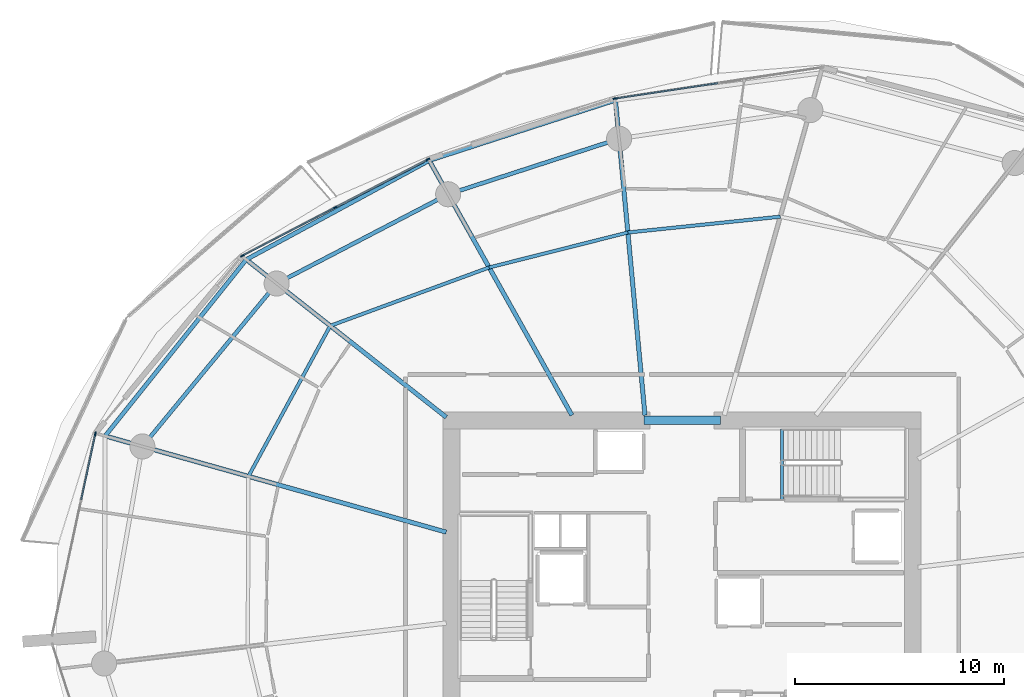
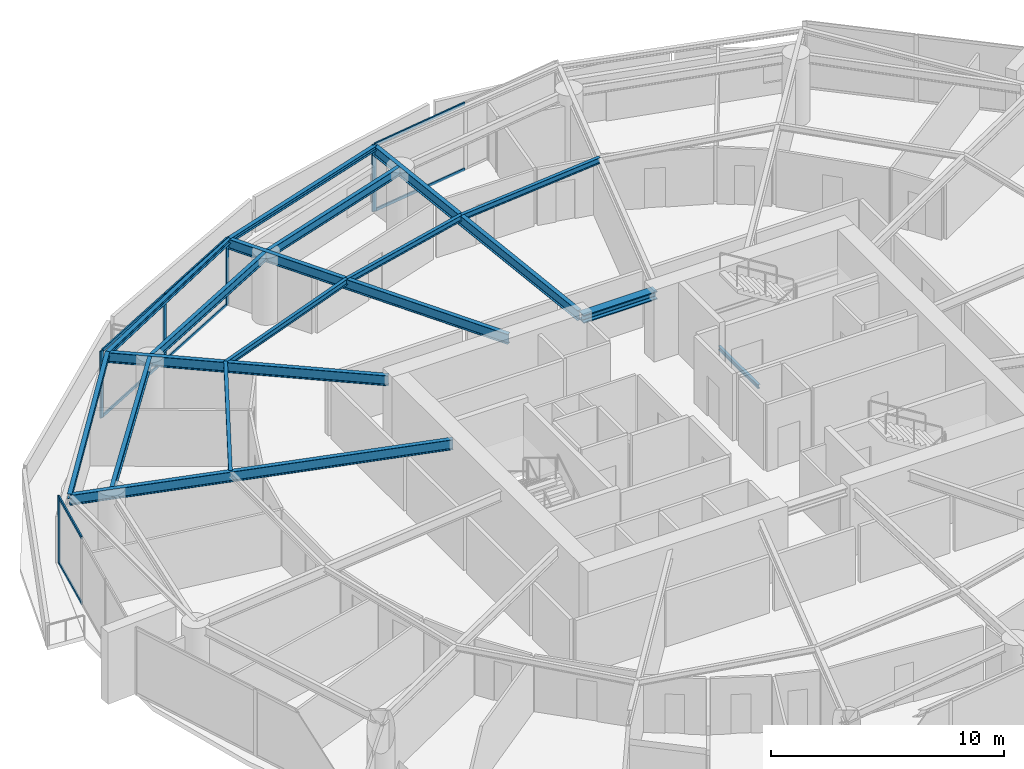
# One storey, part 8 of 22: 16 beams, 13 members, 3 elements without a shape of their own.
"""IFC4 building model written with IfcOpenShell, lengths in metres."""

from ifc_helpers import new_model, si_unit, direction, frame, origin, origin_2d, place, context, subcontext, project, spatial, rectangle, i_section, extrude, material, layer, layer_set, material_profile, profile_set, type_object, element, aggregate, save


model = new_model("IFC4")

# Units and contexts
model_context = context("Model", 3, precision=1e-05, world=origin(), true_north=direction((0.0, 1.0)))
body_context = subcontext(model_context, "Body", "Model", "MODEL_VIEW")
ifc_project = project(units=[si_unit("LENGTHUNIT", "METRE"), si_unit("AREAUNIT", "SQUARE_METRE"), si_unit("VOLUMEUNIT", "CUBIC_METRE"), si_unit("PLANEANGLEUNIT", "RADIAN"), si_unit("MASSUNIT", "GRAM", prefix="KILO")], contexts=[model_context])

# Site, building, storey
site_placement = place(None, origin())
site = spatial("IfcSite", under=ifc_project, at=site_placement, CompositionType="ELEMENT")
building_placement = place(site_placement, origin())
building = spatial("IfcBuilding", under=site, at=building_placement, Name="Kazma Halo Residences", CompositionType="ELEMENT")
storey_placement = place(building_placement, frame((0.0, 0.0, 90.14990234375)))
storey = spatial("IfcBuildingStorey", under=building, at=storey_placement, Name="L22", CompositionType="ELEMENT", Elevation=90.14990234375)

# Beams
ifc_material_1 = material(Name="Steel S355", Category="steel")
ifc_material_profile_1 = material_profile(ifc_material_1, i_section(OverallWidth=0.201904296875, OverallDepth=0.2470703125, WebThickness=0.00732421875, FlangeThickness=0.010986328125, FilletRadius=0.011962890625, at=origin_2d()), Name="W250x49.1")
ifc_profile_set_1 = profile_set([ifc_material_profile_1], Name="Steel S355")
beam_type_1 = type_object("IfcBeamType", Name="BM-BAL-CANT", PredefinedType="BEAM", material=ifc_profile_set_1)
beam_1_placement = place(storey_placement, frame((45.239013671875, 65.7109375, 3.376708984375), z_axis=(-0.951364037255, -0.308068934846, 0.0), x_axis=(0.308068934846, -0.951364037255, 0.0)))
element("IfcBeam", 1, at=beam_1_placement, inside=storey, type_object=beam_type_1, Name="L22 wave-balcony tie beam 04", PredefinedType="BEAM", context=body_context, shape_type="SweptSolid", body=[
    extrude(i_section(OverallWidth=0.201904296875, OverallDepth=0.2470703125, WebThickness=0.00732421875, FlangeThickness=0.010986328125, FilletRadius=0.011962890625, at=origin_2d()), origin(), (0.0, 0.0, 1.0), 9.3583984375),
])
beam_2_placement = place(storey_placement, frame((36.335693359375, 62.827880859375, 3.376708984375), z_axis=(-0.87930438671, -0.476260218276, 0.0), x_axis=(0.476260218276, -0.87930438671, 0.0)))
element("IfcBeam", 2, at=beam_2_placement, inside=storey, type_object=beam_type_1, Name="L22 wave-balcony tie beam 05", PredefinedType="BEAM", context=body_context, shape_type="SweptSolid", body=[
    extrude(i_section(OverallWidth=0.201904296875, OverallDepth=0.2470703125, WebThickness=0.00732421875, FlangeThickness=0.010986328125, FilletRadius=0.011962890625, at=origin_2d()), origin(), (0.0, 0.0, 1.0), 9.94677734375),
])
beam_3_placement = place(storey_placement, frame((27.58935546875, 58.090576171875, 3.376708984375), z_axis=(-0.62477775999, -0.78080263231, 0.0), x_axis=(0.78080263231, -0.62477775999, 0.0)))
element("IfcBeam", 3, at=beam_3_placement, inside=storey, type_object=beam_type_1, Name="L22 wave-balcony tie beam 06", PredefinedType="BEAM", context=body_context, shape_type="SweptSolid", body=[
    extrude(i_section(OverallWidth=0.201904296875, OverallDepth=0.2470703125, WebThickness=0.00732421875, FlangeThickness=0.010986328125, FilletRadius=0.011962890625, at=origin_2d()), origin(), (0.0, 0.0, 1.0), 10.79833984375),
])
ifc_material_profile_2 = material_profile(ifc_material_1, i_section(OverallWidth=0.408935546875, OverallDepth=0.425048828125, WebThickness=0.03271484375, FlangeThickness=0.052490234375, FilletRadius=0.02001953125, at=origin_2d()), Name="W360x421")
ifc_profile_set_2 = profile_set([ifc_material_profile_2], Name="Steel S355")
beam_type_2 = type_object("IfcBeamType", Name="BM-CORE-W360H", PredefinedType="BEAM", material=ifc_profile_set_2)
beam_4_placement = place(storey_placement, frame((46.60009765625, 50.39990234375, 3.28759765625), z_axis=(1.0, 0.0, 0.0), x_axis=(0.0, 1.0, 0.0)))
element("IfcBeam", 4, at=beam_4_placement, inside=storey, type_object=beam_type_2, Name="L22 core coupling beam N", PredefinedType="BEAM", context=body_context, shape_type="SweptSolid", body=[
    extrude(i_section(OverallWidth=0.408935546875, OverallDepth=0.425048828125, WebThickness=0.03271484375, FlangeThickness=0.052490234375, FilletRadius=0.02001953125, at=origin_2d()), origin(), (0.0, 0.0, 1.0), 3.64990234375),
])
ifc_material_profile_3 = material_profile(ifc_material_1, i_section(OverallWidth=0.208984375, OverallDepth=0.532958984375, WebThickness=0.01025390625, FlangeThickness=0.015625, FilletRadius=0.01611328125, at=origin_2d()), Name="W530x92")
ifc_profile_set_3 = profile_set([ifc_material_profile_3], Name="Steel S355")
beam_type_3 = type_object("IfcBeamType", Name="BM-RAD-W530", PredefinedType="BEAM", material=ifc_profile_set_3)
beam_5_placement = place(storey_placement, frame((46.64990234375, 50.64990234375, 3.233642578125), z_axis=(-0.093269713752, 0.995640879282, 0.0), x_axis=(-0.995640879282, -0.093269713752, 0.0)))
element("IfcBeam", 5, at=beam_5_placement, inside=storey, type_object=beam_type_3, Name="L22 radial floor beam 04", PredefinedType="BEAM", context=body_context, shape_type="SweptSolid", body=[
    extrude(i_section(OverallWidth=0.208984375, OverallDepth=0.532958984375, WebThickness=0.01025390625, FlangeThickness=0.015625, FilletRadius=0.01611328125, at=origin_2d()), origin(), (0.0, 0.0, 1.0), 15.126953125),
])
beam_6_placement = place(storey_placement, frame((43.15576171875, 50.64990234375, 3.233642578125), z_axis=(-0.488625206529, 0.872493786536, 0.0), x_axis=(-0.872493786536, -0.488625206529, 0.0)))
element("IfcBeam", 6, at=beam_6_placement, inside=storey, type_object=beam_type_3, Name="L22 radial floor beam 05", PredefinedType="BEAM", context=body_context, shape_type="SweptSolid", body=[
    extrude(i_section(OverallWidth=0.208984375, OverallDepth=0.532958984375, WebThickness=0.01025390625, FlangeThickness=0.015625, FilletRadius=0.01611328125, at=origin_2d()), origin(), (0.0, 0.0, 1.0), 13.957763671875),
])
beam_7_placement = place(storey_placement, frame((37.14990234375, 50.553466796875, 3.233642578125), z_axis=(-0.785309664997, 0.619103165929, 0.0), x_axis=(-0.619103165929, -0.785309664997, 0.0)))
element("IfcBeam", 7, at=beam_7_placement, inside=storey, type_object=beam_type_3, Name="L22 radial floor beam 06", PredefinedType="BEAM", context=body_context, shape_type="SweptSolid", body=[
    extrude(i_section(OverallWidth=0.208984375, OverallDepth=0.532958984375, WebThickness=0.01025390625, FlangeThickness=0.015625, FilletRadius=0.01611328125, at=origin_2d()), origin(), (0.0, 0.0, 1.0), 12.17431640625),
])
beam_8_placement = place(storey_placement, frame((37.14990234375, 45.06005859375, 3.233642578125), z_axis=(-0.962454695383, 0.271442368351, 0.0), x_axis=(-0.271442368351, -0.962454695383, 0.0)))
element("IfcBeam", 8, at=beam_8_placement, inside=storey, type_object=beam_type_3, Name="L22 radial floor beam 07", PredefinedType="BEAM", context=body_context, shape_type="SweptSolid", body=[
    extrude(i_section(OverallWidth=0.208984375, OverallDepth=0.532958984375, WebThickness=0.01025390625, FlangeThickness=0.015625, FilletRadius=0.01611328125, at=origin_2d()), origin(), (0.0, 0.0, 1.0), 16.943359375),
])
ifc_material_profile_4 = material_profile(ifc_material_1, i_section(OverallWidth=0.1650390625, OverallDepth=0.31005859375, WebThickness=0.005859375, FlangeThickness=0.009765625, FilletRadius=0.011962890625, at=origin_2d()), Name="W310x38.7")
ifc_profile_set_4 = profile_set([ifc_material_profile_4], Name="Steel S355")
beam_type_4 = type_object("IfcBeamType", Name="BM-SEC-W310B", PredefinedType="JOIST", material=ifc_profile_set_4)
beam_9_placement = place(storey_placement, frame((53.116455078125, 60.1416015625, 3.34521484375), z_axis=(-0.994656912508, -0.103235780624, 0.0), x_axis=(0.103235780624, -0.994656912508, 0.0)))
element("IfcBeam", 9, at=beam_9_placement, inside=storey, type_object=beam_type_4, Name="L22 circumferential floor joist 03", PredefinedType="JOIST", context=body_context, shape_type="SweptSolid", body=[
    extrude(i_section(OverallWidth=0.1650390625, OverallDepth=0.31005859375, WebThickness=0.005859375, FlangeThickness=0.009765625, FilletRadius=0.011962890625, at=origin_2d()), origin(), (0.0, 0.0, 1.0), 7.323974609375),
])
beam_10_placement = place(storey_placement, frame((45.83154296875, 59.385498046875, 3.34521484375), z_axis=(-0.969640662449, -0.244534221993, 0.0), x_axis=(0.244534221993, -0.969640662449, 0.0)))
element("IfcBeam", 10, at=beam_10_placement, inside=storey, type_object=beam_type_4, Name="L22 circumferential floor joist 04", PredefinedType="JOIST", context=body_context, shape_type="SweptSolid", body=[
    extrude(i_section(OverallWidth=0.1650390625, OverallDepth=0.31005859375, WebThickness=0.005859375, FlangeThickness=0.009765625, FilletRadius=0.011962890625, at=origin_2d()), origin(), (0.0, 0.0, 1.0), 6.8388671875),
])
beam_11_placement = place(storey_placement, frame((39.2001953125, 57.713134765625, 3.34521484375), z_axis=(-0.93875304644, -0.344590652513, 0.0), x_axis=(0.344590652513, -0.93875304644, 0.0)))
element("IfcBeam", 11, at=beam_11_placement, inside=storey, type_object=beam_type_4, Name="L22 circumferential floor joist 05", PredefinedType="JOIST", context=body_context, shape_type="SweptSolid", body=[
    extrude(i_section(OverallWidth=0.1650390625, OverallDepth=0.31005859375, WebThickness=0.005859375, FlangeThickness=0.009765625, FilletRadius=0.011962890625, at=origin_2d()), origin(), (0.0, 0.0, 1.0), 8.091064453125),
])
beam_12_placement = place(storey_placement, frame((31.604736328125, 54.925048828125, 3.34521484375), z_axis=(-0.477621844446, -0.878565520441, 0.0), x_axis=(0.878565520441, -0.477621844446, 0.0)))
element("IfcBeam", 12, at=beam_12_placement, inside=storey, type_object=beam_type_4, Name="L22 circumferential floor joist 06", PredefinedType="JOIST", context=body_context, shape_type="SweptSolid", body=[
    extrude(i_section(OverallWidth=0.1650390625, OverallDepth=0.31005859375, WebThickness=0.005859375, FlangeThickness=0.009765625, FilletRadius=0.011962890625, at=origin_2d()), origin(), (0.0, 0.0, 1.0), 8.1923828125),
])
ifc_material_profile_5 = material_profile(ifc_material_1, i_section(OverallWidth=0.18994140625, OverallDepth=0.45703125, WebThickness=0.009033203125, FlangeThickness=0.014404296875, FilletRadius=0.01611328125, at=origin_2d()), Name="W460x74")
ifc_profile_set_5 = profile_set([ifc_material_profile_5], Name="Steel S355")
beam_type_5 = type_object("IfcBeamType", Name="BM-SPN-W460", PredefinedType="BEAM", material=ifc_profile_set_5)
beam_13_placement = place(storey_placement, frame((45.41162109375, 63.869140625, 3.271484375), z_axis=(-0.951054111927, -0.30902439416, 0.0), x_axis=(0.30902439416, -0.951054111927, 0.0)))
element("IfcBeam", 13, at=beam_13_placement, inside=storey, type_object=beam_type_5, Name="L22 perimeter ring beam 04", PredefinedType="BEAM", context=body_context, shape_type="SweptSolid", body=[
    extrude(i_section(OverallWidth=0.18994140625, OverallDepth=0.45703125, WebThickness=0.009033203125, FlangeThickness=0.014404296875, FilletRadius=0.01611328125, at=origin_2d()), origin(), (0.0, 0.0, 1.0), 8.592529296875),
])
beam_14_placement = place(storey_placement, frame((37.23974609375, 61.2138671875, 3.271484375), z_axis=(-0.886963229644, -0.461840047266, 0.0), x_axis=(0.461840047266, -0.886963229644, 0.0)))
element("IfcBeam", 14, at=beam_14_placement, inside=storey, type_object=beam_type_5, Name="L22 perimeter ring beam 05", PredefinedType="BEAM", context=body_context, shape_type="SweptSolid", body=[
    extrude(i_section(OverallWidth=0.18994140625, OverallDepth=0.45703125, WebThickness=0.009033203125, FlangeThickness=0.014404296875, FilletRadius=0.01611328125, at=origin_2d()), origin(), (0.0, 0.0, 1.0), 9.242431640625),
])
beam_15_placement = place(storey_placement, frame((29.0419921875, 56.9453125, 3.271484375), z_axis=(-0.635989564566, -0.771697656963, 0.0), x_axis=(0.771697656963, -0.635989564566, 0.0)))
element("IfcBeam", 15, at=beam_15_placement, inside=storey, type_object=beam_type_5, Name="L22 perimeter ring beam 06", PredefinedType="BEAM", context=body_context, shape_type="SweptSolid", body=[
    extrude(i_section(OverallWidth=0.18994140625, OverallDepth=0.45703125, WebThickness=0.009033203125, FlangeThickness=0.014404296875, FilletRadius=0.01611328125, at=origin_2d()), origin(), (0.0, 0.0, 1.0), 10.092529296875),
])
ifc_material_profile_6 = material_profile(ifc_material_1, i_section(OverallWidth=0.133056640625, OverallDepth=0.20703125, WebThickness=0.005859375, FlangeThickness=0.00830078125, FilletRadius=0.010009765625, at=origin_2d()), Name="W200x26.6")
ifc_profile_set_6 = profile_set([ifc_material_profile_6], Name="Steel S355")
beam_type_6 = type_object("IfcBeamType", Name="BM-TRIM-W200", PredefinedType="BEAM", material=ifc_profile_set_6)
beam_16_placement = place(storey_placement, frame((53.199951171875, 46.6201171875, -0.35986328125), z_axis=(0.0, 1.0, 0.0), x_axis=(-1.0, 0.0, 0.0)))
element("IfcBeam", 16, at=beam_16_placement, inside=storey, type_object=beam_type_6, Name="L22 ST-02 floor landing support beam", PredefinedType="BEAM", context=body_context, shape_type="SweptSolid", body=[
    extrude(i_section(OverallWidth=0.133056640625, OverallDepth=0.20703125, WebThickness=0.005859375, FlangeThickness=0.00830078125, FilletRadius=0.010009765625, at=origin_2d()), origin(), (0.0, 0.0, 1.0), 3.3798828125),
])

# Curtain wall, member
ifc_material_2 = material(Name="Aluminium AW-6063 T6 and Triple-Silver Low-E Glass", Category="aluminium")
ifc_layer = layer(ifc_material_2, 0.199951171875)
ifc_layer_set = layer_set([ifc_layer], Name="Aluminium AW-6063 T6 and Triple-Silver Low-E Glass")
curtain_wall_type = type_object("IfcCurtainWallType", Name="CW-SYS-3", PredefinedType="NOTDEFINED", material=ifc_layer_set)
curtain_wall_1_placement = place(storey_placement, origin())
curtain_wall_1 = element("IfcCurtainWall", 17, at=curtain_wall_1_placement, inside=storey, type_object=curtain_wall_type, Name="L22 unitised curtain wall B03", PredefinedType="NOTDEFINED")
ifc_material_3 = material(Name="Aluminium AW-6063 T6", Category="aluminium")
ifc_material_profile_7 = material_profile(ifc_material_3, rectangle(XDim=0.070068359375, YDim=0.199951171875, at=origin_2d()), Name="CWM-70x200")
ifc_profile_set_7 = profile_set([ifc_material_profile_7], Name="Aluminium AW-6063 T6")
member_type_1 = type_object("IfcMemberType", Name="CW-SYS-3-MUL", PredefinedType="MULLION", material=ifc_profile_set_7)
member_1_placement = place(storey_placement, frame((45.219970703125, 65.78662109375, 0.0), z_axis=(0.0, 0.0, 1.0), x_axis=(0.148717330409, -0.988879747814, 0.0)))
member_1 = element("IfcMember", 18, at=member_1_placement, type_object=member_type_1, Name="CWS-3 mullion 3", PredefinedType="MULLION", context=body_context, shape_type="SweptSolid", body=[
    extrude(rectangle(XDim=0.070068359375, YDim=0.199951171875, at=origin_2d()), origin(), (0.0, 0.0, 1.0), 3.5),
])

# Curtain wall, members
curtain_wall_2_placement = place(storey_placement, origin())
curtain_wall_2 = element("IfcCurtainWall", 19, at=curtain_wall_2_placement, inside=storey, type_object=curtain_wall_type, Name="L22 unitised curtain wall B05", PredefinedType="NOTDEFINED")
member_2_placement = place(storey_placement, frame((36.267822265625, 62.8779296875, 0.0), z_axis=(0.0, 0.0, 1.0), x_axis=(0.460932159481, -0.887435374749, 0.0)))
member_2 = element("IfcMember", 20, at=member_2_placement, type_object=member_type_1, Name="CWS-3 mullion 1", PredefinedType="MULLION", context=body_context, shape_type="SweptSolid", body=[
    extrude(rectangle(XDim=0.070068359375, YDim=0.199951171875, at=origin_2d()), origin(), (0.0, 0.0, 1.0), 3.5),
])
member_3_placement = place(storey_placement, frame((31.8369140625, 60.57666015625, 0.0), z_axis=(0.0, 0.0, 1.0), x_axis=(0.460932159481, -0.887435374749, 0.0)))
member_3 = element("IfcMember", 21, at=member_3_placement, type_object=member_type_1, Name="CWS-3 mullion 2", PredefinedType="MULLION", context=body_context, shape_type="SweptSolid", body=[
    extrude(rectangle(XDim=0.070068359375, YDim=0.199951171875, at=origin_2d()), origin(), (0.0, 0.0, 1.0), 3.5),
])
member_4_placement = place(storey_placement, frame((27.40625, 58.275390625, 0.0), z_axis=(0.0, 0.0, 1.0), x_axis=(0.460932159481, -0.887435374749, 0.0)))
member_4 = element("IfcMember", 22, at=member_4_placement, type_object=member_type_1, Name="CWS-3 mullion 3", PredefinedType="MULLION", context=body_context, shape_type="SweptSolid", body=[
    extrude(rectangle(XDim=0.070068359375, YDim=0.199951171875, at=origin_2d()), origin(), (0.0, 0.0, 1.0), 3.5),
])

# Curtain wall, member
curtain_wall_3_placement = place(storey_placement, origin())
curtain_wall_3 = element("IfcCurtainWall", 23, at=curtain_wall_3_placement, inside=storey, type_object=curtain_wall_type, Name="L22 unitised curtain wall B07", PredefinedType="NOTDEFINED")
member_5_placement = place(storey_placement, frame((20.3740234375, 49.755126953125, 0.0), z_axis=(0.0, 0.0, 1.0), x_axis=(0.977774176093, -0.209660822677, 0.0)))
member_5 = element("IfcMember", 24, at=member_5_placement, type_object=member_type_1, Name="CWS-3 mullion 1", PredefinedType="MULLION", context=body_context, shape_type="SweptSolid", body=[
    extrude(rectangle(XDim=0.070068359375, YDim=0.199951171875, at=origin_2d()), origin(), (0.0, 0.0, 1.0), 3.5),
])

# Member
ifc_material_profile_8 = material_profile(ifc_material_3, rectangle(XDim=0.070068359375, YDim=0.14990234375, at=origin_2d()), Name="CWT-70x150")
ifc_profile_set_8 = profile_set([ifc_material_profile_8], Name="Aluminium AW-6063 T6")
member_type_2 = type_object("IfcMemberType", Name="CW-SYS-3-TRN", PredefinedType="USERDEFINED", material=ifc_profile_set_8)
member_6_placement = place(storey_placement, frame((50.12255859375, 66.52392578125, 0.03515625), z_axis=(-0.988884271372, -0.148687248386, 0.0), x_axis=(0.148687248386, -0.988884271372, 0.0)))
member_6 = element("IfcMember", 25, at=member_6_placement, type_object=member_type_2, Name="CWS-3 transom 2.1", ObjectType="TRANSOM", PredefinedType="USERDEFINED", context=body_context, shape_type="SweptSolid", body=[
    extrude(rectangle(XDim=0.070068359375, YDim=0.14990234375, at=origin_2d()), origin(), (0.0, 0.0, 1.0), 4.922607421875),
])

member_7_placement = place(storey_placement, frame((50.12255859375, 66.52392578125, 3.465087890625), z_axis=(-0.988884271372, -0.148687248386, 0.0), x_axis=(0.148687248386, -0.988884271372, 0.0)))
member_7 = element("IfcMember", 26, at=member_7_placement, type_object=member_type_2, Name="CWS-3 transom 2.2", ObjectType="TRANSOM", PredefinedType="USERDEFINED", context=body_context, shape_type="SweptSolid", body=[
    extrude(rectangle(XDim=0.070068359375, YDim=0.14990234375, at=origin_2d()), origin(), (0.0, 0.0, 1.0), 4.922607421875),
])

aggregate(curtain_wall_1, [member_1, member_6, member_7])

member_8_placement = place(storey_placement, frame((36.236572265625, 62.86181640625, 0.03515625), z_axis=(-0.887427024944, -0.460948235054, 0.0), x_axis=(0.460948235054, -0.887427024944, 0.0)))
member_8 = element("IfcMember", 27, at=member_8_placement, type_object=member_type_2, Name="CWS-3 transom 1.1", ObjectType="TRANSOM", PredefinedType="USERDEFINED", context=body_context, shape_type="SweptSolid", body=[
    extrude(rectangle(XDim=0.070068359375, YDim=0.14990234375, at=origin_2d()), origin(), (0.0, 0.0, 1.0), 4.922607421875),
])

member_9_placement = place(storey_placement, frame((36.236572265625, 62.86181640625, 3.465087890625), z_axis=(-0.887427024944, -0.460948235054, 0.0), x_axis=(0.460948235054, -0.887427024944, 0.0)))
member_9 = element("IfcMember", 28, at=member_9_placement, type_object=member_type_2, Name="CWS-3 transom 1.2", ObjectType="TRANSOM", PredefinedType="USERDEFINED", context=body_context, shape_type="SweptSolid", body=[
    extrude(rectangle(XDim=0.070068359375, YDim=0.14990234375, at=origin_2d()), origin(), (0.0, 0.0, 1.0), 4.922607421875),
])

member_10_placement = place(storey_placement, frame((31.805908203125, 60.560546875, 0.03515625), z_axis=(-0.887437562141, -0.460927948058, 0.0), x_axis=(0.460927948058, -0.887437562141, 0.0)))
member_10 = element("IfcMember", 29, at=member_10_placement, type_object=member_type_2, Name="CWS-3 transom 2.1", ObjectType="TRANSOM", PredefinedType="USERDEFINED", context=body_context, shape_type="SweptSolid", body=[
    extrude(rectangle(XDim=0.070068359375, YDim=0.14990234375, at=origin_2d()), origin(), (0.0, 0.0, 1.0), 4.9228515625),
])

member_11_placement = place(storey_placement, frame((31.805908203125, 60.560546875, 3.465087890625), z_axis=(-0.887437562141, -0.460927948058, 0.0), x_axis=(0.460927948058, -0.887437562141, 0.0)))
member_11 = element("IfcMember", 30, at=member_11_placement, type_object=member_type_2, Name="CWS-3 transom 2.2", ObjectType="TRANSOM", PredefinedType="USERDEFINED", context=body_context, shape_type="SweptSolid", body=[
    extrude(rectangle(XDim=0.070068359375, YDim=0.14990234375, at=origin_2d()), origin(), (0.0, 0.0, 1.0), 4.9228515625),
])

aggregate(curtain_wall_2, [member_2, member_3, member_4, member_8, member_9, member_10, member_11])

member_12_placement = place(storey_placement, frame((20.36669921875, 49.720947265625, 0.03515625), z_axis=(-0.209702197956, -0.977765303216, 0.0), x_axis=(0.977765303216, -0.209702197956, 0.0)))
member_12 = element("IfcMember", 31, at=member_12_placement, type_object=member_type_2, Name="CWS-3 transom 1.1", ObjectType="TRANSOM", PredefinedType="USERDEFINED", context=body_context, shape_type="SweptSolid", body=[
    extrude(rectangle(XDim=0.070068359375, YDim=0.14990234375, at=origin_2d()), origin(), (0.0, 0.0, 1.0), 3.17822265625),
])

member_13_placement = place(storey_placement, frame((20.36669921875, 49.720947265625, 3.465087890625), z_axis=(-0.209702197956, -0.977765303216, 0.0), x_axis=(0.977765303216, -0.209702197956, 0.0)))
member_13 = element("IfcMember", 32, at=member_13_placement, type_object=member_type_2, Name="CWS-3 transom 1.2", ObjectType="TRANSOM", PredefinedType="USERDEFINED", context=body_context, shape_type="SweptSolid", body=[
    extrude(rectangle(XDim=0.070068359375, YDim=0.14990234375, at=origin_2d()), origin(), (0.0, 0.0, 1.0), 3.17822265625),
])

aggregate(curtain_wall_3, [member_5, member_12, member_13])

save(model, "model.ifc")
